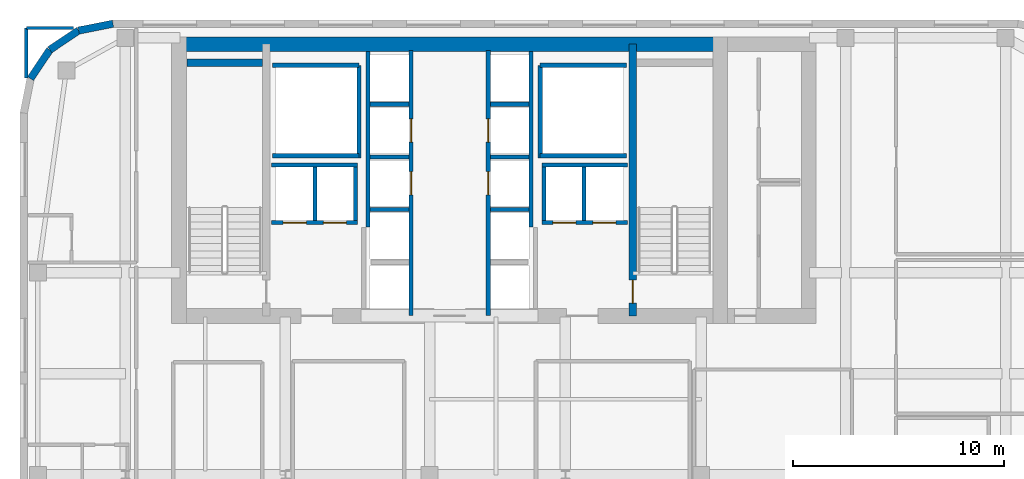
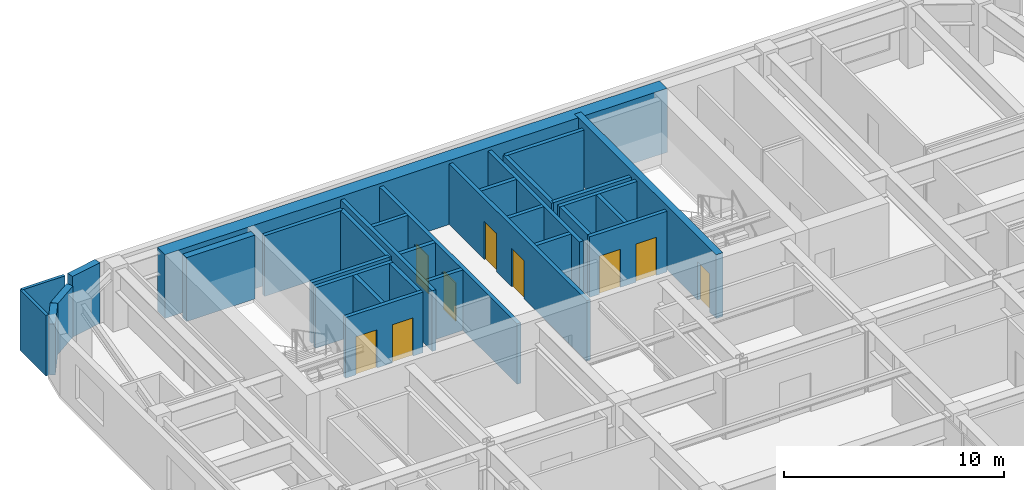
# One storey, part 11 of 14: 32 walls, 9 doors, 9 openings.
"""IFC4 building model written with IfcOpenShell, lengths in metres."""

from ifc_helpers import new_model, si_unit, direction, frame, frame_2d, origin, place, context, subcontext, project, spatial, rectangle, extrude, source, transform, mapped, material, layer, layer_set, type_object, type_shapes, element, fill, save


model = new_model("IFC4")

# Units and contexts
model_context = context("Model", 3, precision=1e-05, world=origin(), true_north=direction((0.0, 1.0)))
body_context = subcontext(model_context, "Body", "Model", "MODEL_VIEW")
ifc_project = project(units=[si_unit("LENGTHUNIT", "METRE"), si_unit("AREAUNIT", "SQUARE_METRE"), si_unit("VOLUMEUNIT", "CUBIC_METRE"), si_unit("PLANEANGLEUNIT", "RADIAN"), si_unit("MASSUNIT", "GRAM", prefix="KILO")], contexts=[model_context])

# Site, building, storey
site_placement = place(None, origin())
site = spatial("IfcSite", under=ifc_project, at=site_placement, CompositionType="ELEMENT")
building_placement = place(site_placement, origin())
building = spatial("IfcBuilding", under=site, at=building_placement, Name="Tolvann Quenvar Hotel", CompositionType="ELEMENT")
storey_placement = place(building_placement, frame((0.0, 0.0, 150.60009765625)))
storey = spatial("IfcBuildingStorey", under=building, at=storey_placement, Name="L39", CompositionType="ELEMENT", Elevation=150.60009765625)

# Wall
ifc_material_1 = material(Name="Concrete S65 (65 MPa)", Category="concrete")
ifc_layer_1 = layer(ifc_material_1, 0.699951171875)
ifc_layer_set_1 = layer_set([ifc_layer_1], Name="Concrete S65 (65 MPa)")
wall_type_1 = type_object("IfcWallType", Name="WALL_CORE_700", PredefinedType="SHEAR", material=ifc_layer_set_1)
wall_1_placement = place(storey_placement, frame((9.800048828125, 44.85009765625, 0.0), z_axis=(0.0, 0.0, 1.0), x_axis=(1.0, 0.0, 0.0)))
element("IfcWall", 1, at=wall_1_placement, inside=storey, type_object=wall_type_1, Name="Rear Core N Shear Wall (L39)", PredefinedType="SHEAR", context=body_context, shape_type="SweptSolid", body=[
    extrude(rectangle(XDim=26.39990234375, YDim=0.699951171875, at=frame_2d((13.199951171875, 0.0))), origin(), (0.0, 0.0, 1.0), 3.5498046875),
])

# Wall, opening, door
ifc_layer_2 = layer(ifc_material_1, 0.35009765625)
ifc_layer_set_2 = layer_set([ifc_layer_2], Name="Concrete S65 (65 MPa)")
wall_type_2 = type_object("IfcWallType", Name="WALL_CORE_INT_350", PredefinedType="SHEAR", material=ifc_layer_set_2)
wall_2_placement = place(storey_placement, frame((31.699951171875, 31.949951171875, 0.0), z_axis=(0.0, 0.0, 1.0), x_axis=(0.0, 1.0, 0.0)))
wall_2 = element("IfcWall", 2, at=wall_2_placement, inside=storey, type_object=wall_type_2, Name="Core Internal Web Shear Wall WEB-E (L39)", PredefinedType="SHEAR", context=body_context, shape_type="SweptSolid", body=[
    extrude(rectangle(XDim=12.900146484375, YDim=0.35009765625, at=frame_2d((6.4501953125, 0.0))), origin(), (0.0, 0.0, 1.0), 3.5498046875),
])
opening_1_placement = place(wall_2_placement, frame((1.7001953125, 0.0, 0.0), z_axis=(0.0, 0.0, 1.0), x_axis=(-1.0, 0.0, 0.0)))
opening_1 = element("IfcOpeningElement", 3, at=opening_1_placement, cuts=wall_2, Name="Opening FD-120", PredefinedType="OPENING", context=body_context, shape_type="SweptSolid", body=[
    extrude(rectangle(XDim=1.10009765625, YDim=2.1201171875, at=frame_2d((0.550048828125, 1.06005859375))), frame((0.0, 0.18505859375, 0.0), z_axis=(0.0, -1.0, 0.0), x_axis=(1.0, 0.0, 0.0)), (0.0, 0.0, 1.0), 0.3701171875),
])
ifc_material_2 = material(Name="Pressed galvanised steel fire-rated door set", Category="steel")
door_type_1 = type_object("IfcDoorType", Name="DOOR_FIRE_STAIR_1100", OperationType="NOTDEFINED", PredefinedType="DOOR", material=ifc_material_2)
shared_shape_1 = source(origin(), body_context, "Body", "SweptSolid", [
    extrude(rectangle(XDim=1.10009765625, YDim=2.1201171875, at=frame_2d((0.550048828125, 1.06005859375))), frame((0.0, 0.02490234375, 0.0), z_axis=(0.0, -1.0, 0.0), x_axis=(1.0, 0.0, 0.0)), (0.0, 0.0, 1.0), 0.050048828125),
])
type_shapes(door_type_1, [shared_shape_1])
door_1_placement = place(opening_1_placement, origin())
door_1 = element("IfcDoor", 4, at=door_1_placement, inside=storey, type_object=door_type_1, Name="Exit Stair ST-C2 Fire Door (L39)", OperationType="SINGLE_SWING_LEFT", OverallHeight=2.1201171875, OverallWidth=1.10009765625, PredefinedType="DOOR", context=body_context, shape_type="MappedRepresentation", body=[
    mapped(shared_shape_1, transform((0.0, 0.0, 0.0), x_axis=(1.0, 0.0, 0.0), y_axis=(0.0, 1.0, 0.0), z_axis=(0.0, 0.0, 1.0), scale=1.0)),
])
fill(opening_1, door_1)

# Walls
wall_3_placement = place(storey_placement, frame((10.52001953125, 43.97509765625, 0.0), z_axis=(0.0, 0.0, 1.0), x_axis=(1.0, 0.0, 0.0)))
element("IfcWall", 5, at=wall_3_placement, inside=storey, type_object=wall_type_2, Name="Core Stair North Closing Shear Wall STC1-N (L39)", PredefinedType="SHEAR", context=body_context, shape_type="SweptSolid", body=[
    extrude(rectangle(XDim=3.60009765625, YDim=0.35009765625, at=frame_2d((1.800048828125, 0.0))), origin(), (0.0, 0.0, 1.0), 3.5498046875),
])
ifc_material_3 = material(Name="Kiln-fired red and buff architectural clay brickwork and terracotta masonry", Category="masonry")
ifc_layer_3 = layer(ifc_material_3, 0.35009765625)
ifc_layer_set_3 = layer_set([ifc_layer_3], Name="Kiln-fired red and buff architectural clay brickwork and terracotta masonry")
wall_type_3 = type_object("IfcWallType", Name="WALL_EXT_BRICK_350", PredefinedType="SOLIDWALL", material=ifc_layer_set_3)
wall_4_placement = place(storey_placement, frame((7.01708984375, 45.824951171875, 0.0), z_axis=(0.0, 0.0, 1.0), x_axis=(-0.980788844421, -0.195072403631, 0.0)))
element("IfcWall", 6, at=wall_4_placement, inside=storey, type_object=wall_type_3, Name="Exterior Chicago Brick Wall L39-E19", PredefinedType="SOLIDWALL", context=body_context, shape_type="SweptSolid", body=[
    extrude(rectangle(XDim=1.66455078125, YDim=0.35009765625, at=frame_2d((0.832275390625, 0.0))), origin(), (0.0, 0.0, 1.0), 3.369873046875),
])
for number, where, z_axis, x_axis, name in (
    (7, (5.384521484375, 45.500244140625, 0.0), (0.0, 0.0, 1.0), (-0.831502623162, -0.555520825599, 0.0), "Exterior Chicago Brick Wall L39-E20"),
    (8, (4.014892578125, 44.585205078125, 0.0), (0.0, 0.0, 1.0), (-0.555623290322, -0.831434158098, 0.0), "Exterior Chicago Brick Wall L39-E21"),
):
    element("IfcWall", number, at=place(storey_placement, frame(where, z_axis=z_axis, x_axis=x_axis)), inside=storey, type_object=wall_type_3, Name=name, PredefinedType="SOLIDWALL", context=body_context, shape_type="SweptSolid", body=[
        extrude(rectangle(XDim=1.647216796875, YDim=0.35009765625, at=frame_2d((0.82373046875, 0.0))), origin(), (0.0, 0.0, 1.0), 2.831787109375),
    ])
ifc_material_4 = material(Name="Acoustic twin-stud fire-rated gypsum plasterboard partition")
ifc_layer_4 = layer(ifc_material_4, 0.14990234375)
ifc_layer_set_4 = layer_set([ifc_layer_4], Name="Acoustic twin-stud fire-rated gypsum plasterboard partition")
wall_type_4 = type_object("IfcWallType", Name="WALL_PART_SUITE_150", PredefinedType="PARTITIONING", material=ifc_layer_set_4)
wall_5_placement = place(storey_placement, frame((2.89990234375, 45.6201171875, 0.0), z_axis=(0.0, 0.0, 1.0), x_axis=(1.0, 0.0, 0.0)))
element("IfcWall", 9, at=wall_5_placement, inside=storey, type_object=wall_type_4, Name="Interior Partition PT-SPC-L39-RM-NW02-E5", PredefinedType="PARTITIONING", context=body_context, shape_type="SweptSolid", body=[
    extrude(rectangle(XDim=2.25, YDim=0.14990234375, at=frame_2d((1.125, 0.0))), origin(), (0.0, 0.0, 1.0), 3.369873046875),
])
wall_6_placement = place(storey_placement, frame((2.89990234375, 43.2548828125, 0.0), z_axis=(0.0, 0.0, 1.0), x_axis=(0.0, 1.0, 0.0)))
element("IfcWall", 10, at=wall_6_placement, inside=storey, type_object=wall_type_4, Name="Interior Partition PT-SPC-L39-RM-NW02-E6", PredefinedType="PARTITIONING", context=body_context, shape_type="SweptSolid", body=[
    extrude(rectangle(XDim=2.365234375, YDim=0.14990234375, at=frame_2d((1.1826171875, 0.0))), origin(), (0.0, 0.0, 1.0), 3.369873046875),
])
ifc_material_5 = material(Name="Concrete N40 (40 MPa)", Category="concrete")
ifc_layer_5 = layer(ifc_material_5, 0.199951171875)
ifc_layer_set_5 = layer_set([ifc_layer_5], Name="Concrete N40 (40 MPa)")
wall_type_5 = type_object("IfcWallType", Name="WALL_SHAFT_200", PredefinedType="SOLIDWALL", material=ifc_layer_set_5)
wall_7_placement = place(storey_placement, frame((18.699951171875, 39.449951171875, 0.0), z_axis=(0.0, 0.0, 1.0), x_axis=(0.0, 1.0, 0.0)))
element("IfcWall", 11, at=wall_7_placement, inside=storey, type_object=wall_type_5, Name="Service Riser W Shaft Wall IN (L39)", PredefinedType="SOLIDWALL", context=body_context, shape_type="SweptSolid", body=[
    extrude(rectangle(XDim=4.400146484375, YDim=0.199951171875, at=frame_2d((2.2001953125, 0.0))), origin(), (0.0, 0.0, 1.0), 3.369873046875),
])
for number, where, z_axis, x_axis, name in (
    (12, (14.60009765625, 39.550048828125, 0.0), (0.0, 0.0, 1.0), (1.0, 0.0, 0.0), "Service Riser W Shaft Wall S (L39)"),
    (13, (14.60009765625, 43.85009765625, 0.0), (0.0, 0.0, 1.0), (1.0, 0.0, 0.0), "Service Riser W Shaft Wall N (L39)"),
):
    element("IfcWall", number, at=place(storey_placement, frame(where, z_axis=z_axis, x_axis=x_axis)), inside=storey, type_object=wall_type_5, Name=name, PredefinedType="SOLIDWALL", context=body_context, shape_type="SweptSolid", body=[
        extrude(rectangle(XDim=4.099853515625, YDim=0.199951171875, at=frame_2d((2.0498046875, 0.0))), origin(), (0.0, 0.0, 1.0), 3.369873046875),
    ])
wall_8_placement = place(storey_placement, frame((27.300048828125, 39.449951171875, 0.0), z_axis=(0.0, 0.0, 1.0), x_axis=(0.0, 1.0, 0.0)))
element("IfcWall", 14, at=wall_8_placement, inside=storey, type_object=wall_type_5, Name="Service Riser E Shaft Wall IN (L39)", PredefinedType="SOLIDWALL", context=body_context, shape_type="SweptSolid", body=[
    extrude(rectangle(XDim=4.400146484375, YDim=0.199951171875, at=frame_2d((2.2001953125, 0.0))), origin(), (0.0, 0.0, 1.0), 3.369873046875),
])
for number, where, z_axis, x_axis, name in (
    (15, (27.300048828125, 39.550048828125, 0.0), (0.0, 0.0, 1.0), (1.0, 0.0, 0.0), "Service Riser E Shaft Wall S (L39)"),
    (16, (27.300048828125, 43.85009765625, 0.0), (0.0, 0.0, 1.0), (1.0, 0.0, 0.0), "Service Riser E Shaft Wall N (L39)"),
):
    element("IfcWall", number, at=place(storey_placement, frame(where, z_axis=z_axis, x_axis=x_axis)), inside=storey, type_object=wall_type_5, Name=name, PredefinedType="SOLIDWALL", context=body_context, shape_type="SweptSolid", body=[
        extrude(rectangle(XDim=4.099853515625, YDim=0.199951171875, at=frame_2d((2.0498046875, 0.0))), origin(), (0.0, 0.0, 1.0), 3.369873046875),
    ])

# Wall, openings, doors
wall_9_placement = place(storey_placement, frame((21.169921875, 31.9599609375, 0.0), z_axis=(0.0, 0.0, 1.0), x_axis=(0.0, 1.0, 0.0)))
wall_9 = element("IfcWall", 17, at=wall_9_placement, inside=storey, type_object=wall_type_5, Name="Lift Bank E21.1C1 Hoistway Front Wall (L39)", PredefinedType="SOLIDWALL", context=body_context, shape_type="SweptSolid", body=[
    extrude(rectangle(XDim=12.580078125, YDim=0.199951171875, at=frame_2d((6.2900390625, 0.0))), origin(), (0.0, 0.0, 1.0), 3.369873046875),
])
opening_2_placement = place(wall_9_placement, frame((5.739990234375, 0.0, 0.0)))
opening_2 = element("IfcOpeningElement", 18, at=opening_2_placement, cuts=wall_9, Name="Opening LD-01", PredefinedType="OPENING", context=body_context, shape_type="SweptSolid", body=[
    extrude(rectangle(XDim=1.10009765625, YDim=2.1201171875, at=frame_2d((0.550048828125, 1.06005859375))), frame((0.0, 0.10986328125, 0.0), z_axis=(0.0, -1.0, 0.0), x_axis=(1.0, 0.0, 0.0)), (0.0, 0.0, 1.0), 0.219970703125),
])
opening_3_placement = place(wall_9_placement, frame((8.239990234375, 0.0, 0.0)))
opening_3 = element("IfcOpeningElement", 19, at=opening_3_placement, cuts=wall_9, Name="Opening LD-01", PredefinedType="OPENING", context=body_context, shape_type="SweptSolid", body=[
    extrude(rectangle(XDim=1.10009765625, YDim=2.1201171875, at=frame_2d((0.550048828125, 1.06005859375))), frame((0.0, 0.10986328125, 0.0), z_axis=(0.0, -1.0, 0.0), x_axis=(1.0, 0.0, 0.0)), (0.0, 0.0, 1.0), 0.219970703125),
])
ifc_material_6 = material(Name="Brushed 316 stainless steel automatic sliding lift landing door", Category="steel")
door_type_2 = type_object("IfcDoorType", Name="DOOR_LIFT_SLIDE_1100", OperationType="NOTDEFINED", PredefinedType="DOOR", material=ifc_material_6)
shared_shape_2 = source(origin(), body_context, "Body", "SweptSolid", [
    extrude(rectangle(XDim=1.10009765625, YDim=2.1201171875, at=frame_2d((0.550048828125, 1.06005859375))), frame((0.0, 0.02490234375, 0.0), z_axis=(0.0, -1.0, 0.0), x_axis=(1.0, 0.0, 0.0)), (0.0, 0.0, 1.0), 0.050048828125),
])
type_shapes(door_type_2, [shared_shape_2])
door_2_placement = place(opening_2_placement, origin())
door_2 = element("IfcDoor", 20, at=door_2_placement, inside=storey, type_object=door_type_2, Name="Lift PM-1 Sliding Landing Door (L39)", OperationType="SLIDING_TO_RIGHT", OverallHeight=2.1201171875, OverallWidth=1.10009765625, PredefinedType="DOOR", context=body_context, shape_type="MappedRepresentation", body=[
    mapped(shared_shape_2, transform((0.0, 0.0, 0.0), x_axis=(1.0, 0.0, 0.0), y_axis=(0.0, 1.0, 0.0), z_axis=(0.0, 0.0, 1.0), scale=1.0)),
])
fill(opening_2, door_2)
door_3_placement = place(opening_3_placement, origin())
door_3 = element("IfcDoor", 21, at=door_3_placement, inside=storey, type_object=door_type_2, Name="Lift PM-2 Sliding Landing Door (L39)", OperationType="SLIDING_TO_LEFT", OverallHeight=2.1201171875, OverallWidth=1.10009765625, PredefinedType="DOOR", context=body_context, shape_type="MappedRepresentation", body=[
    mapped(shared_shape_2, transform((0.0, 0.0, 0.0), x_axis=(1.0, 0.0, 0.0), y_axis=(0.0, 1.0, 0.0), z_axis=(0.0, 0.0, 1.0), scale=1.0)),
])
fill(opening_3, door_3)

# Walls
wall_10_placement = place(storey_placement, frame((19.1298828125, 36.159912109375, 0.0), z_axis=(0.0, 0.0, 1.0), x_axis=(0.0, 1.0, 0.0)))
element("IfcWall", 22, at=wall_10_placement, inside=storey, type_object=wall_type_5, Name="Lift Bank E21.1C1 Hoistway Rear Wall (L39)", PredefinedType="SOLIDWALL", context=body_context, shape_type="SweptSolid", body=[
    extrude(rectangle(XDim=8.336181640625, YDim=0.199951171875, at=frame_2d((4.16796875, 0.0))), origin(), (0.0, 0.0, 1.0), 3.369873046875),
])
for number, where, z_axis, x_axis, name in (
    (23, (19.22998046875, 37.0, 0.0), (0.0, 0.0, 1.0), (1.0, 0.0, 0.0), "Lift Bank E21.1C1 Divider Wall 2 (L39)"),
    (24, (19.22998046875, 39.5, 0.0), (0.0, 0.0, 1.0), (1.0, 0.0, 0.0), "Lift Bank E21.1C1 Divider Wall 3 (L39)"),
    (25, (19.22998046875, 42.0, 0.0), (0.0, 0.0, 1.0), (1.0, 0.0, 0.0), "Lift Bank E21.1C1 Divider Wall 4 (L39)"),
):
    element("IfcWall", number, at=place(storey_placement, frame(where, z_axis=z_axis, x_axis=x_axis)), inside=storey, type_object=wall_type_5, Name=name, PredefinedType="SOLIDWALL", context=body_context, shape_type="SweptSolid", body=[
        extrude(rectangle(XDim=1.840087890625, YDim=0.199951171875, at=frame_2d((0.919921875, 0.0))), origin(), (0.0, 0.0, 1.0), 3.369873046875),
    ])

# Wall, openings, doors
wall_11_placement = place(storey_placement, frame((27.375, 36.3798828125, 0.0), z_axis=(0.0, 0.0, 1.0), x_axis=(1.0, 0.0, 0.0)))
wall_11 = element("IfcWall", 26, at=wall_11_placement, inside=storey, type_object=wall_type_5, Name="Lift Bank SEC1 Hoistway Front Wall (L39)", PredefinedType="SOLIDWALL", context=body_context, shape_type="SweptSolid", body=[
    extrude(rectangle(XDim=4.074951171875, YDim=0.199951171875, at=frame_2d((2.03759765625, 0.0))), origin(), (0.0, 0.0, 1.0), 3.369873046875),
])
opening_4_placement = place(wall_11_placement, frame((0.52490234375, 0.0, 0.0)))
opening_4 = element("IfcOpeningElement", 27, at=opening_4_placement, cuts=wall_11, Name="Opening LD-01", PredefinedType="OPENING", context=body_context, shape_type="SweptSolid", body=[
    extrude(rectangle(XDim=1.10009765625, YDim=2.1201171875, at=frame_2d((0.550048828125, 1.06005859375))), frame((0.0, 0.10986328125, 0.0), z_axis=(0.0, -1.0, 0.0), x_axis=(1.0, 0.0, 0.0)), (0.0, 0.0, 1.0), 0.219970703125),
])
opening_5_placement = place(wall_11_placement, frame((2.425048828125, 0.0, 0.0)))
opening_5 = element("IfcOpeningElement", 28, at=opening_5_placement, cuts=wall_11, Name="Opening LD-01", PredefinedType="OPENING", context=body_context, shape_type="SweptSolid", body=[
    extrude(rectangle(XDim=1.10009765625, YDim=2.1201171875, at=frame_2d((0.550048828125, 1.06005859375))), frame((0.0, 0.10986328125, 0.0), z_axis=(0.0, -1.0, 0.0), x_axis=(1.0, 0.0, 0.0)), (0.0, 0.0, 1.0), 0.219970703125),
])
door_4_placement = place(opening_4_placement, origin())
door_4 = element("IfcDoor", 29, at=door_4_placement, inside=storey, type_object=door_type_2, Name="Lift SV-2 Sliding Landing Door (L39)", OperationType="SLIDING_TO_LEFT", OverallHeight=2.1201171875, OverallWidth=1.10009765625, PredefinedType="DOOR", context=body_context, shape_type="MappedRepresentation", body=[
    mapped(shared_shape_2, transform((0.0, 0.0, 0.0), x_axis=(1.0, 0.0, 0.0), y_axis=(0.0, 1.0, 0.0), z_axis=(0.0, 0.0, 1.0), scale=1.0)),
])
fill(opening_4, door_4)
door_5_placement = place(opening_5_placement, origin())
door_5 = element("IfcDoor", 30, at=door_5_placement, inside=storey, type_object=door_type_2, Name="Lift FF-2 Sliding Landing Door (L39)", OperationType="SLIDING_TO_RIGHT", OverallHeight=2.1201171875, OverallWidth=1.10009765625, PredefinedType="DOOR", context=body_context, shape_type="MappedRepresentation", body=[
    mapped(shared_shape_2, transform((0.0, 0.0, 0.0), x_axis=(1.0, 0.0, 0.0), y_axis=(0.0, 1.0, 0.0), z_axis=(0.0, 0.0, 1.0), scale=1.0)),
])
fill(opening_5, door_5)

# Walls
wall_12_placement = place(storey_placement, frame((27.375, 39.1201171875, 0.0), z_axis=(0.0, 0.0, 1.0), x_axis=(1.0, 0.0, 0.0)))
element("IfcWall", 31, at=wall_12_placement, inside=storey, type_object=wall_type_5, Name="Lift Bank SEC1 Hoistway Rear Wall (L39)", PredefinedType="SOLIDWALL", context=body_context, shape_type="SweptSolid", body=[
    extrude(rectangle(XDim=4.074951171875, YDim=0.199951171875, at=frame_2d((2.03759765625, 0.0))), origin(), (0.0, 0.0, 1.0), 3.369873046875),
])
for number, where, z_axis, x_axis, name in (
    (32, (27.47509765625, 36.47998046875, 0.0), (0.0, 0.0, 1.0), (0.0, 1.0, 0.0), "Lift Bank SEC1 Hoistway Cheek Wall 1 (L39)"),
    (33, (29.387451171875, 36.47998046875, 0.0), (0.0, 0.0, 1.0), (0.0, 1.0, 0.0), "Lift Bank SEC1 Divider Wall 1 (L39)"),
):
    element("IfcWall", number, at=place(storey_placement, frame(where, z_axis=z_axis, x_axis=x_axis)), inside=storey, type_object=wall_type_5, Name=name, PredefinedType="SOLIDWALL", context=body_context, shape_type="SweptSolid", body=[
        extrude(rectangle(XDim=2.5400390625, YDim=0.199951171875, at=frame_2d((1.27001953125, 0.0))), origin(), (0.0, 0.0, 1.0), 3.369873046875),
    ])

# Wall, openings, doors
wall_13_placement = place(storey_placement, frame((14.550048828125, 36.3798828125, 0.0), z_axis=(0.0, 0.0, 1.0), x_axis=(1.0, 0.0, 0.0)))
wall_13 = element("IfcWall", 34, at=wall_13_placement, inside=storey, type_object=wall_type_5, Name="Lift Bank SWC1 Hoistway Front Wall (L39)", PredefinedType="SOLIDWALL", context=body_context, shape_type="SweptSolid", body=[
    extrude(rectangle(XDim=4.074951171875, YDim=0.199951171875, at=frame_2d((2.03759765625, 0.0))), origin(), (0.0, 0.0, 1.0), 3.369873046875),
])
opening_6_placement = place(wall_13_placement, frame((0.550048828125, 0.0, 0.0)))
opening_6 = element("IfcOpeningElement", 35, at=opening_6_placement, cuts=wall_13, Name="Opening LD-01", PredefinedType="OPENING", context=body_context, shape_type="SweptSolid", body=[
    extrude(rectangle(XDim=1.10009765625, YDim=2.1201171875, at=frame_2d((0.550048828125, 1.06005859375))), frame((0.0, 0.10986328125, 0.0), z_axis=(0.0, -1.0, 0.0), x_axis=(1.0, 0.0, 0.0)), (0.0, 0.0, 1.0), 0.219970703125),
])
opening_7_placement = place(wall_13_placement, frame((2.449951171875, 0.0, 0.0)))
opening_7 = element("IfcOpeningElement", 36, at=opening_7_placement, cuts=wall_13, Name="Opening LD-01", PredefinedType="OPENING", context=body_context, shape_type="SweptSolid", body=[
    extrude(rectangle(XDim=1.10009765625, YDim=2.1201171875, at=frame_2d((0.550048828125, 1.06005859375))), frame((0.0, 0.10986328125, 0.0), z_axis=(0.0, -1.0, 0.0), x_axis=(1.0, 0.0, 0.0)), (0.0, 0.0, 1.0), 0.219970703125),
])
door_6_placement = place(opening_6_placement, origin())
door_6 = element("IfcDoor", 37, at=door_6_placement, inside=storey, type_object=door_type_2, Name="Lift FF-1 Sliding Landing Door (L39)", OperationType="SLIDING_TO_LEFT", OverallHeight=2.1201171875, OverallWidth=1.10009765625, PredefinedType="DOOR", context=body_context, shape_type="MappedRepresentation", body=[
    mapped(shared_shape_2, transform((0.0, 0.0, 0.0), x_axis=(1.0, 0.0, 0.0), y_axis=(0.0, 1.0, 0.0), z_axis=(0.0, 0.0, 1.0), scale=1.0)),
])
fill(opening_6, door_6)
door_7_placement = place(opening_7_placement, origin())
door_7 = element("IfcDoor", 38, at=door_7_placement, inside=storey, type_object=door_type_2, Name="Lift SV-1 Sliding Landing Door (L39)", OperationType="SLIDING_TO_RIGHT", OverallHeight=2.1201171875, OverallWidth=1.10009765625, PredefinedType="DOOR", context=body_context, shape_type="MappedRepresentation", body=[
    mapped(shared_shape_2, transform((0.0, 0.0, 0.0), x_axis=(1.0, 0.0, 0.0), y_axis=(0.0, 1.0, 0.0), z_axis=(0.0, 0.0, 1.0), scale=1.0)),
])
fill(opening_7, door_7)

# Walls
wall_14_placement = place(storey_placement, frame((14.550048828125, 39.1201171875, 0.0), z_axis=(0.0, 0.0, 1.0), x_axis=(1.0, 0.0, 0.0)))
element("IfcWall", 39, at=wall_14_placement, inside=storey, type_object=wall_type_5, Name="Lift Bank SWC1 Hoistway Rear Wall (L39)", PredefinedType="SOLIDWALL", context=body_context, shape_type="SweptSolid", body=[
    extrude(rectangle(XDim=4.074951171875, YDim=0.199951171875, at=frame_2d((2.03759765625, 0.0))), origin(), (0.0, 0.0, 1.0), 3.369873046875),
])
for number, where, z_axis, x_axis, name in (
    (40, (18.52490234375, 36.47998046875, 0.0), (0.0, 0.0, 1.0), (0.0, 1.0, 0.0), "Lift Bank SWC1 Hoistway Cheek Wall 2 (L39)"),
    (41, (16.612548828125, 36.47998046875, 0.0), (0.0, 0.0, 1.0), (0.0, 1.0, 0.0), "Lift Bank SWC1 Divider Wall 1 (L39)"),
):
    element("IfcWall", number, at=place(storey_placement, frame(where, z_axis=z_axis, x_axis=x_axis)), inside=storey, type_object=wall_type_5, Name=name, PredefinedType="SOLIDWALL", context=body_context, shape_type="SweptSolid", body=[
        extrude(rectangle(XDim=2.5400390625, YDim=0.199951171875, at=frame_2d((1.27001953125, 0.0))), origin(), (0.0, 0.0, 1.0), 3.369873046875),
    ])

# Wall, openings, doors
wall_15_placement = place(storey_placement, frame((24.830078125, 31.9599609375, 0.0), z_axis=(0.0, 0.0, 1.0), x_axis=(0.0, 1.0, 0.0)))
wall_15 = element("IfcWall", 42, at=wall_15_placement, inside=storey, type_object=wall_type_5, Name="Lift Bank W24.9C1 Hoistway Front Wall (L39)", PredefinedType="SOLIDWALL", context=body_context, shape_type="SweptSolid", body=[
    extrude(rectangle(XDim=12.580078125, YDim=0.199951171875, at=frame_2d((6.2900390625, 0.0))), origin(), (0.0, 0.0, 1.0), 3.369873046875),
])
opening_8_placement = place(wall_15_placement, frame((5.739990234375, 0.0, 0.0)))
opening_8 = element("IfcOpeningElement", 43, at=opening_8_placement, cuts=wall_15, Name="Opening LD-01", PredefinedType="OPENING", context=body_context, shape_type="SweptSolid", body=[
    extrude(rectangle(XDim=1.10009765625, YDim=2.1201171875, at=frame_2d((0.550048828125, 1.06005859375))), frame((0.0, 0.10986328125, 0.0), z_axis=(0.0, -1.0, 0.0), x_axis=(1.0, 0.0, 0.0)), (0.0, 0.0, 1.0), 0.219970703125),
])
opening_9_placement = place(wall_15_placement, frame((8.239990234375, 0.0, 0.0)))
opening_9 = element("IfcOpeningElement", 44, at=opening_9_placement, cuts=wall_15, Name="Opening LD-01", PredefinedType="OPENING", context=body_context, shape_type="SweptSolid", body=[
    extrude(rectangle(XDim=1.10009765625, YDim=2.1201171875, at=frame_2d((0.550048828125, 1.06005859375))), frame((0.0, 0.10986328125, 0.0), z_axis=(0.0, -1.0, 0.0), x_axis=(1.0, 0.0, 0.0)), (0.0, 0.0, 1.0), 0.219970703125),
])
door_8_placement = place(opening_8_placement, origin())
door_8 = element("IfcDoor", 45, at=door_8_placement, inside=storey, type_object=door_type_2, Name="Lift PM-3 Sliding Landing Door (L39)", OperationType="SLIDING_TO_RIGHT", OverallHeight=2.1201171875, OverallWidth=1.10009765625, PredefinedType="DOOR", context=body_context, shape_type="MappedRepresentation", body=[
    mapped(shared_shape_2, transform((0.0, 0.0, 0.0), x_axis=(1.0, 0.0, 0.0), y_axis=(0.0, 1.0, 0.0), z_axis=(0.0, 0.0, 1.0), scale=1.0)),
])
fill(opening_8, door_8)
door_9_placement = place(opening_9_placement, origin())
door_9 = element("IfcDoor", 46, at=door_9_placement, inside=storey, type_object=door_type_2, Name="Lift PM-4 Sliding Landing Door (L39)", OperationType="SLIDING_TO_LEFT", OverallHeight=2.1201171875, OverallWidth=1.10009765625, PredefinedType="DOOR", context=body_context, shape_type="MappedRepresentation", body=[
    mapped(shared_shape_2, transform((0.0, 0.0, 0.0), x_axis=(1.0, 0.0, 0.0), y_axis=(0.0, 1.0, 0.0), z_axis=(0.0, 0.0, 1.0), scale=1.0)),
])
fill(opening_9, door_9)

# Walls
wall_16_placement = place(storey_placement, frame((26.8701171875, 36.159912109375, 0.0), z_axis=(0.0, 0.0, 1.0), x_axis=(0.0, 1.0, 0.0)))
element("IfcWall", 47, at=wall_16_placement, inside=storey, type_object=wall_type_5, Name="Lift Bank W24.9C1 Hoistway Rear Wall (L39)", PredefinedType="SOLIDWALL", context=body_context, shape_type="SweptSolid", body=[
    extrude(rectangle(XDim=8.336181640625, YDim=0.199951171875, at=frame_2d((4.16796875, 0.0))), origin(), (0.0, 0.0, 1.0), 3.369873046875),
])
for number, where, z_axis, x_axis, name in (
    (48, (24.929931640625, 37.0, 0.0), (0.0, 0.0, 1.0), (1.0, 0.0, 0.0), "Lift Bank W24.9C1 Divider Wall 2 (L39)"),
    (49, (24.929931640625, 39.5, 0.0), (0.0, 0.0, 1.0), (1.0, 0.0, 0.0), "Lift Bank W24.9C1 Divider Wall 3 (L39)"),
    (50, (24.929931640625, 42.0, 0.0), (0.0, 0.0, 1.0), (1.0, 0.0, 0.0), "Lift Bank W24.9C1 Divider Wall 4 (L39)"),
):
    element("IfcWall", number, at=place(storey_placement, frame(where, z_axis=z_axis, x_axis=x_axis)), inside=storey, type_object=wall_type_5, Name=name, PredefinedType="SOLIDWALL", context=body_context, shape_type="SweptSolid", body=[
        extrude(rectangle(XDim=1.840087890625, YDim=0.199951171875, at=frame_2d((0.919921875, 0.0))), origin(), (0.0, 0.0, 1.0), 3.369873046875),
    ])

save(model, "model.ifc")
